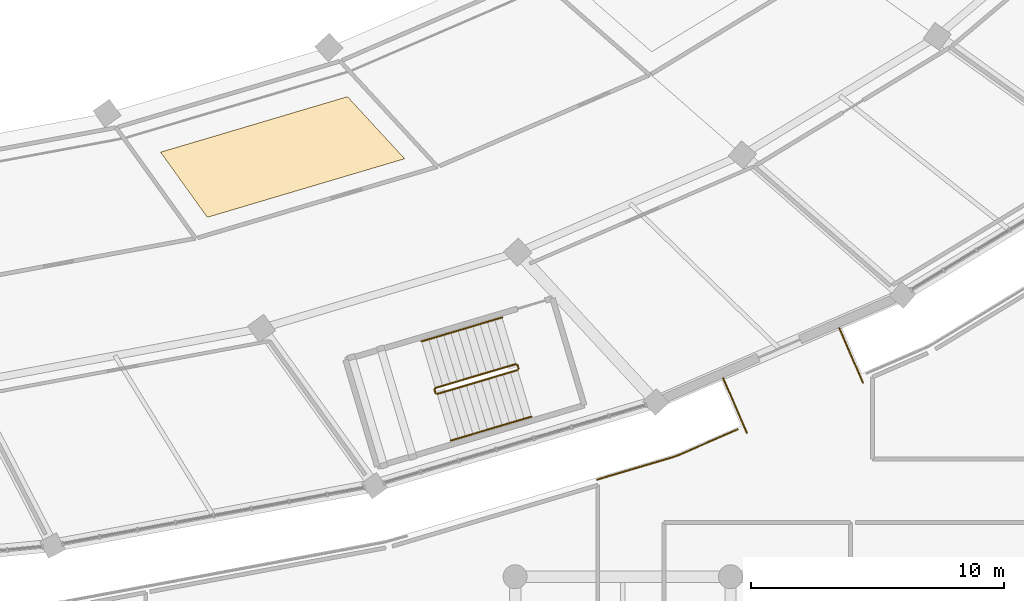
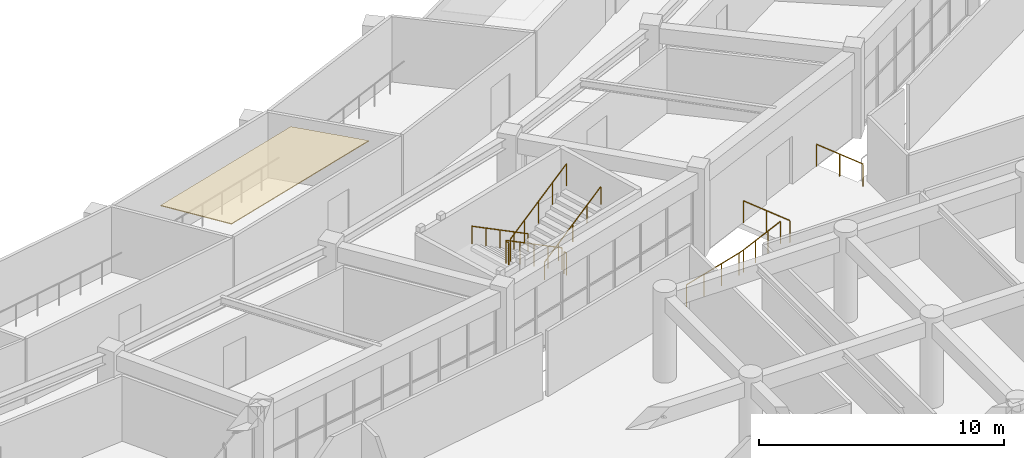
# One storey, part 125 of 141: 9 railings, 1 covering.
"""IFC4 building model written with IfcOpenShell, lengths in metres."""

import ifcopenshell
import ifcopenshell.guid

model = None  # the IFC model being written
_history = None  # IfcOwnerHistory: only IFC2X3 demands one
_inside = {}  # id of a spatial element -> (the spatial element, [elements in it])
_under = {}  # id of a project, library or spatial element -> (it, [spatial elements below it])
_declared = {}  # id of a project -> (the project, [libraries it declares])
_typed = {}  # id of a type object -> (the type object, [elements of that type])
_made_of = {}  # id of a material, layer set ... -> (it, [elements and type objects made of it])


def new_model(schema):
    """Start an empty IFC model of exactly this schema.

    Asked for "IFC4X3", IfcOpenShell would pick the latest addendum, in which some entities
    have other attributes; the version numbers below select the first issue.
    IFC2X3 requires an IfcOwnerHistory on every rooted entity: one is made here for all.
    """
    global model, _history
    if schema == "IFC4X3":
        model = ifcopenshell.file(schema_version=(4, 3, 0, 0))
    else:
        model = ifcopenshell.file(schema=schema)
    _inside.clear()
    _under.clear()
    _declared.clear()
    _typed.clear()
    _made_of.clear()
    _history = None
    if model.schema == "IFC2X3":
        org = make("IfcOrganization", Name="unknown")
        user = make(
            "IfcPersonAndOrganization",
            ThePerson=make("IfcPerson", FamilyName="unknown"),
            TheOrganization=org,
        )
        app = make(
            "IfcApplication",
            ApplicationDeveloper=org,
            Version="unknown",
            ApplicationFullName="unknown",
            ApplicationIdentifier="unknown",
        )
        _history = make(
            "IfcOwnerHistory",
            OwningUser=user,
            OwningApplication=app,
            ChangeAction="ADDED",
            CreationDate=0,
        )
    return model


def make(cls, **values):
    """One entity of the class cls with the attributes given. An attribute that is None is left unset."""
    return model.create_entity(
        cls, **{name: value for name, value in values.items() if value is not None}
    )


def rooted(cls, **values):
    """An entity with a GlobalId (a new one), such as an element, a storey or a relation."""
    return make(cls, GlobalId=ifcopenshell.guid.new(), OwnerHistory=_history, **values)


def si_unit(unit_type, name, prefix=None):
    """IfcSIUnit, for example si_unit("LENGTHUNIT", "METRE", prefix="MILLI")."""
    return make("IfcSIUnit", UnitType=unit_type, Prefix=prefix, Name=name)


def assignment(units):
    """IfcUnitAssignment: the units of a project."""
    return None if units is None else make("IfcUnitAssignment", Units=units)


def point(xyz):
    """IfcCartesianPoint."""
    return None if xyz is None else make("IfcCartesianPoint", Coordinates=xyz)


def direction(xyz):
    """IfcDirection."""
    return None if xyz is None else make("IfcDirection", DirectionRatios=xyz)


def frame(location, z_axis=None, x_axis=None):
    """IfcAxis2Placement3D, a coordinate frame: its origin and axes. An axis left out is left unset."""
    return make(
        "IfcAxis2Placement3D",
        Location=point(location),
        Axis=direction(z_axis),
        RefDirection=direction(x_axis),
    )


def frame_2d(location, x_axis=None):
    """IfcAxis2Placement2D, a coordinate frame in the plane: its origin and x axis."""
    return make(
        "IfcAxis2Placement2D", Location=point(location), RefDirection=direction(x_axis)
    )


def origin():
    """The frame at (0, 0, 0) with its axes left unset."""
    return frame((0.0, 0.0, 0.0))


def origin_2d():
    """The frame at (0, 0) in the plane with its x axis left unset."""
    return frame_2d((0.0, 0.0))


def place(relative_to, where):
    """IfcLocalPlacement: puts the frame where relative to a parent placement (None: the world)."""
    return make(
        "IfcLocalPlacement", PlacementRelTo=relative_to, RelativePlacement=where
    )


def context(
    kind, dimensions, precision=None, world=None, true_north=None, identifier=None
):
    """IfcGeometricRepresentationContext, for example the 3D "Model" context."""
    return make(
        "IfcGeometricRepresentationContext",
        ContextIdentifier=identifier,
        ContextType=kind,
        CoordinateSpaceDimension=dimensions,
        Precision=precision,
        WorldCoordinateSystem=world,
        TrueNorth=true_north,
    )


def subcontext(parent, identifier, kind, view, scale=None):
    """IfcGeometricRepresentationSubContext, for example "Body" below "Model"."""
    return make(
        "IfcGeometricRepresentationSubContext",
        ContextIdentifier=identifier,
        ContextType=kind,
        ParentContext=parent,
        TargetScale=scale,
        TargetView=view,
    )


def project(units=None, contexts=None):
    """IfcProject with its units and contexts."""
    return rooted(
        "IfcProject",
        Name="project",
        RepresentationContexts=contexts,
        UnitsInContext=assignment(units),
    )


def spatial(cls, under=None, at=None, **own):
    """A site, building, storey or space (cls), placed at a placement, below another one or the project."""
    s = rooted(cls, ObjectPlacement=at, **own)
    if under is not None:
        _under.setdefault(under.id(), (under, []))[1].append(s)
    return s


def polyline(points):
    """IfcPolyline through the points."""
    return make("IfcPolyline", Points=[point(p) for p in points])


def profile(cls, at=None, kind="AREA", **sizes):
    """A parametric profile (cls). Its sizes go by their IFC names, for example OverallWidth=200.0."""
    return make(cls, ProfileType=kind, Position=at, **sizes)


def circle(**sizes):
    """IfcCircleProfileDef."""
    return profile("IfcCircleProfileDef", **sizes)


def outline(outer, holes=None, kind="AREA"):
    """IfcArbitraryClosedProfileDef: a profile drawn as a closed curve; with holes, ...WithVoids."""
    if holes is None:
        return make("IfcArbitraryClosedProfileDef", ProfileType=kind, OuterCurve=outer)
    return make(
        "IfcArbitraryProfileDefWithVoids",
        ProfileType=kind,
        OuterCurve=outer,
        InnerCurves=holes,
    )


def extrude(swept, where, along, depth):
    """IfcExtrudedAreaSolid: the profile swept, set in the frame where, extruded along a direction by depth."""
    return make(
        "IfcExtrudedAreaSolid",
        SweptArea=swept,
        Position=where,
        ExtrudedDirection=direction(along),
        Depth=depth,
    )


def shape(context_of_items, identifier, shape_type, items):
    """IfcShapeRepresentation: the items that make up one representation, for example the "Body"."""
    return make(
        "IfcShapeRepresentation",
        ContextOfItems=context_of_items,
        RepresentationIdentifier=identifier,
        RepresentationType=shape_type,
        Items=items,
    )


def material(Name=None, Category=None):
    """IfcMaterial."""
    return make("IfcMaterial", Name=Name, Category=Category)


def layer(
    of_material, thickness, ventilated=None, Name=None, Category=None, Priority=None
):
    """IfcMaterialLayer: one layer of a wall or slab, of a material (None: an air gap)."""
    return make(
        "IfcMaterialLayer",
        Material=of_material,
        LayerThickness=thickness,
        IsVentilated=ventilated,
        Name=Name,
        Category=Category,
        Priority=Priority,
    )


def layer_set(layers, Name=None):
    """IfcMaterialLayerSet."""
    return make("IfcMaterialLayerSet", MaterialLayers=layers, LayerSetName=Name)


def made_of(thing, what):
    """Note that an element or type object is made of a material, layer set ...; save() writes the relation."""
    if what is not None:
        _made_of.setdefault(what.id(), (what, []))[1].append(thing)
    return thing


def type_object(cls, material=None, **own):
    """A type object (cls), such as IfcWallType, which elements share."""
    return made_of(rooted(cls, **own), material)


def element(
    cls,
    number,
    at=None,
    inside=None,
    cuts=None,
    type_object=None,
    material=None,
    context=None,
    identifier="Body",
    shape_type=None,
    held_by="IfcProductDefinitionShape",
    body=None,
    shapes=None,
    **own,
):
    """One element of the class cls, such as IfcWall. Its Tag is "e" and its number.

    at: its placement. inside: the storey or other place that contains it. cuts: it is an
    opening in that element (IfcRelVoidsElement). A single representation is given by context,
    identifier, shape_type and body (its items); several are given by shapes. held_by: the class
    of the entity that holds the representations. save() writes the other relations.
    """
    e = rooted(cls, Tag="e%d" % number, ObjectPlacement=at, **own)
    if body is not None:
        shapes = [shape(context, identifier, shape_type, body)]
    if shapes is not None:
        e.Representation = make(held_by, Representations=shapes)
    if inside is not None:
        _inside.setdefault(inside.id(), (inside, []))[1].append(e)
    if cuts is not None:
        rooted(
            "IfcRelVoidsElement", RelatingBuildingElement=cuts, RelatedOpeningElement=e
        )
    if type_object is not None:
        _typed.setdefault(type_object.id(), (type_object, []))[1].append(e)
    return made_of(e, material)


def aggregate(whole, parts):
    """IfcRelAggregates: a whole, such as a stair, and the parts it consists of."""
    return rooted("IfcRelAggregates", RelatingObject=whole, RelatedObjects=parts)


def save(model, path):
    """Write the relations noted so far, then the file.

    IfcRelAggregates (storeys below a building ...), IfcRelContainedInSpatialStructure (elements
    in a storey), IfcRelDefinesByType, IfcRelAssociatesMaterial and IfcRelDeclares: one each for
    every whole, place, type object, material and project.
    """
    for whole, parts in _under.values():
        aggregate(whole, parts)
    for where, things in _inside.values():
        rooted(
            "IfcRelContainedInSpatialStructure",
            RelatedElements=things,
            RelatingStructure=where,
        )
    for kind, things in _typed.values():
        rooted("IfcRelDefinesByType", RelatedObjects=things, RelatingType=kind)
    for what, things in _made_of.values():
        rooted("IfcRelAssociatesMaterial", RelatedObjects=things, RelatingMaterial=what)
    for by, libraries in _declared.values():
        rooted("IfcRelDeclares", RelatingContext=by, RelatedDefinitions=libraries)
    model.write(path)


model = new_model("IFC4")

# Units and contexts
model_context = context("Model", 3, precision=1e-05, world=origin(), true_north=direction((0.0, 1.0)))
body_context = subcontext(model_context, "Body", "Model", "MODEL_VIEW")
ifc_project = project(units=[si_unit("LENGTHUNIT", "METRE"), si_unit("AREAUNIT", "SQUARE_METRE"), si_unit("VOLUMEUNIT", "CUBIC_METRE"), si_unit("PLANEANGLEUNIT", "RADIAN"), si_unit("MASSUNIT", "GRAM", prefix="KILO")], contexts=[model_context])

# Site, building, storey
site_placement = place(None, origin())
site = spatial("IfcSite", under=ifc_project, at=site_placement, CompositionType="ELEMENT")
building_placement = place(site_placement, origin())
building = spatial("IfcBuilding", under=site, at=building_placement, Name="Mphavela Belvedere Stadium", CompositionType="ELEMENT")
storey_placement = place(building_placement, frame((0.0, 0.0, 14.699951171875)))
storey = spatial("IfcBuildingStorey", under=building, at=storey_placement, Name="L03", CompositionType="ELEMENT", Elevation=14.699951171875)

# Covering
ifc_material_1 = material(Name="Perforated acoustic mineral ceiling tile")
ifc_layer = layer(ifc_material_1, 0.0400390625)
ifc_layer_set = layer_set([ifc_layer], Name="Perforated acoustic mineral ceiling tile")
covering_type = type_object("IfcCoveringType", Name="COV-CEILING-ACOUSTIC", PredefinedType="CEILING", material=ifc_layer_set)
covering_placement = place(storey_placement, frame((0.0, 0.0, 3.199951171875)))
element("IfcCovering", 1, at=covering_placement, inside=storey, type_object=covering_type, Name="Concourse acoustic ceiling L03-40", PredefinedType="CEILING", context=body_context, shape_type="SweptSolid", body=[
    extrude(outline(polyline([(156.34765625, 30.79248046875), (163.7392578125, 32.986572265625), (166.002197265625, 30.532470703125), (158.197021484375, 28.2158203125), (156.34765625, 30.79248046875)])), origin(), (0.0, 0.0, 1.0), 0.0400390625),
])

# Railings
ifc_material_2 = material(Name="Bronze and laminated glass stadium balustrade", Category="glass")
railing_type_1 = type_object("IfcRailingType", Name="RAL-BALUSTRADE-1120", PredefinedType="BALUSTRADE", material=ifc_material_2)
railing_1_placement = place(storey_placement, frame((178.602783203125, 21.84619140625, 0.0)))
element("IfcRailing", 2, at=railing_1_placement, inside=storey, type_object=railing_type_1, Name="Colonnade link bridge balustrade L03-41A", PredefinedType="BALUSTRADE", context=body_context, shape_type="SweptSolid", body=[
    extrude(circle(Radius=0.02392578125, at=origin_2d()), frame((0.0, 0.0, 1.09619140625), z_axis=(0.397677406785, -0.917525302176, 0.0), x_axis=(0.917525302176, 0.397677406785, 0.0)), (0.0, 0.0, 1.0), 2.35009765625),
    extrude(circle(Radius=0.02099609375, at=origin_2d()), origin(), (0.0, 0.0, 1.0), 1.072021484375),
    extrude(circle(Radius=0.02099609375, at=origin_2d()), frame((0.46728515625, -1.078125, 0.0)), (0.0, 0.0, 1.0), 1.072021484375),
    extrude(circle(Radius=0.02099609375, at=origin_2d()), frame((0.9345703125, -2.15625, 0.0)), (0.0, 0.0, 1.0), 1.072021484375),
])
railing_2_placement = place(storey_placement, frame((183.190185546875, 23.834716796875, 0.0)))
element("IfcRailing", 3, at=railing_2_placement, inside=storey, type_object=railing_type_1, Name="Colonnade link bridge balustrade L03-41B", PredefinedType="BALUSTRADE", context=body_context, shape_type="SweptSolid", body=[
    extrude(circle(Radius=0.02392578125, at=origin_2d()), frame((0.0, 0.0, 1.09619140625), z_axis=(0.397802772945, -0.91747095531, 0.0), x_axis=(0.91747095531, 0.397802772945, 0.0)), (0.0, 0.0, 1.0), 2.349853515625),
    extrude(circle(Radius=0.02099609375, at=origin_2d()), origin(), (0.0, 0.0, 1.0), 1.072021484375),
    extrude(circle(Radius=0.02099609375, at=origin_2d()), frame((0.46728515625, -1.078125, 0.0)), (0.0, 0.0, 1.0), 1.072021484375),
    extrude(circle(Radius=0.02099609375, at=origin_2d()), frame((0.934814453125, -2.156005859375, 0.0)), (0.0, 0.0, 1.0), 1.072021484375),
])
railing_3_placement = place(storey_placement, frame((173.6171875, 17.841796875, 0.0)))
element("IfcRailing", 4, at=railing_3_placement, inside=storey, type_object=railing_type_1, Name="Peristyle wing gallery edge balustrade L03-06", PredefinedType="BALUSTRADE", context=body_context, shape_type="SweptSolid", body=[
    extrude(circle(Radius=0.02392578125, at=origin_2d()), frame((0.0, 0.0, 1.09619140625), z_axis=(0.958645524177, 0.284602809148, 0.0), x_axis=(-0.284602809148, 0.958645524177, 0.0)), (0.0, 0.0, 1.0), 3.101806640625),
    extrude(circle(Radius=0.02392578125, at=origin_2d()), frame((2.9736328125, 0.8828125, 1.09619140625), z_axis=(0.939740596708, 0.341888301786, 0.0), x_axis=(-0.341888301786, 0.939740596708, 0.0)), (0.0, 0.0, 1.0), 0.27001953125),
    extrude(circle(Radius=0.02392578125, at=origin_2d()), frame((3.227294921875, 0.97509765625, 1.09619140625), z_axis=(0.917490104343, 0.397758605731, 0.0), x_axis=(-0.397758605731, 0.917490104343, 0.0)), (0.0, 0.0, 1.0), 2.5380859375),
    extrude(circle(Radius=0.02099609375, at=origin_2d()), origin(), (0.0, 0.0, 1.0), 1.072021484375),
    extrude(circle(Radius=0.02099609375, at=origin_2d()), frame((0.9912109375, 0.294189453125, 0.0)), (0.0, 0.0, 1.0), 1.072021484375),
    extrude(circle(Radius=0.02099609375, at=origin_2d()), frame((1.982421875, 0.588623046875, 0.0)), (0.0, 0.0, 1.0), 1.072021484375),
    extrude(circle(Radius=0.02099609375, at=origin_2d()), frame((2.9736328125, 0.8828125, 0.0)), (0.0, 0.0, 1.0), 1.072021484375),
    extrude(circle(Radius=0.02099609375, at=origin_2d()), frame((3.227294921875, 0.97509765625, 0.0)), (0.0, 0.0, 1.0), 1.072021484375),
    extrude(circle(Radius=0.02099609375, at=origin_2d()), frame((4.00341796875, 1.3115234375, 0.0)), (0.0, 0.0, 1.0), 1.072021484375),
    extrude(circle(Radius=0.02099609375, at=origin_2d()), frame((4.77978515625, 1.648193359375, 0.0)), (0.0, 0.0, 1.0), 1.072021484375),
    extrude(circle(Radius=0.02099609375, at=origin_2d()), frame((5.555908203125, 1.984619140625, 0.0)), (0.0, 0.0, 1.0), 1.072021484375),
])
ifc_material_3 = material(Name="Painted galvanised steel stair guardrail", Category="steel")
railing_type_2 = type_object("IfcRailingType", Name="RAL-GUARD-1120", PredefinedType="GUARDRAIL", material=ifc_material_3)
railing_4_placement = place(storey_placement, frame((170.39990234375, 22.41259765625, 0.1875)))
element("IfcRailing", 5, at=railing_4_placement, inside=storey, type_object=railing_type_2, Name="L03 ST-P04 stair guard 1", PredefinedType="GUARDRAIL", context=body_context, shape_type="SweptSolid", body=[
    extrude(circle(Radius=0.02392578125, at=origin_2d()), frame((0.0, 0.0, 1.09619140625), z_axis=(-0.814456163261, -0.241701917202, 0.527485868386), x_axis=(0.284501194376, -0.958675685724, 0.0)), (0.0, 0.0, 1.0), 3.91015625),
    extrude(circle(Radius=0.02099609375, at=origin_2d()), origin(), (0.0, 0.0, 1.0), 1.072021484375),
    extrude(circle(Radius=0.02099609375, at=origin_2d()), frame((-0.796142578125, -0.236328125, 0.515625)), (0.0, 0.0, 1.0), 1.072021484375),
    extrude(circle(Radius=0.02099609375, at=origin_2d()), frame((-1.59228515625, -0.47265625, 1.03125)), (0.0, 0.0, 1.0), 1.072021484375),
    extrude(circle(Radius=0.02099609375, at=origin_2d()), frame((-2.388427734375, -0.708740234375, 1.546875)), (0.0, 0.0, 1.0), 1.072021484375),
    extrude(circle(Radius=0.02099609375, at=origin_2d()), frame((-3.1845703125, -0.945068359375, 2.0625)), (0.0, 0.0, 1.0), 1.072021484375),
])
railing_5_placement = place(storey_placement, frame((167.181640625, 21.4052734375, 2.25)))
element("IfcRailing", 6, at=railing_5_placement, inside=storey, type_object=railing_type_2, Name="L03 ST-P04 stair guard 2", PredefinedType="GUARDRAIL", context=body_context, shape_type="SweptSolid", body=[
    extrude(circle(Radius=0.02392578125, at=origin_2d()), frame((0.0, 0.0, 1.09619140625), z_axis=(0.284808608521, -0.958584402394, 0.0), x_axis=(0.958584402394, 0.284808608521, 0.0)), (0.0, 0.0, 1.0), 0.14990234375),
    extrude(circle(Radius=0.02099609375, at=origin_2d()), origin(), (0.0, 0.0, 1.0), 1.072021484375),
    extrude(circle(Radius=0.02099609375, at=origin_2d()), frame((0.042724609375, -0.143798828125, 0.0)), (0.0, 0.0, 1.0), 1.072021484375),
])
railing_6_placement = place(storey_placement, frame((167.286376953125, 21.227783203125, 2.4375)))
element("IfcRailing", 7, at=railing_6_placement, inside=storey, type_object=railing_type_2, Name="L03 ST-P04 stair guard 3", PredefinedType="GUARDRAIL", context=body_context, shape_type="SweptSolid", body=[
    extrude(circle(Radius=0.02392578125, at=origin_2d()), frame((0.0, 0.0, 1.09619140625), z_axis=(0.814464890619, 0.241748413682, 0.527451084396), x_axis=(-0.284548690927, 0.95866158914, 0.0)), (0.0, 0.0, 1.0), 3.910400390625),
    extrude(circle(Radius=0.02099609375, at=origin_2d()), origin(), (0.0, 0.0, 1.0), 1.072021484375),
    extrude(circle(Radius=0.02099609375, at=origin_2d()), frame((0.796142578125, 0.236328125, 0.515625)), (0.0, 0.0, 1.0), 1.072021484375),
    extrude(circle(Radius=0.02099609375, at=origin_2d()), frame((1.59228515625, 0.47265625, 1.03125)), (0.0, 0.0, 1.0), 1.072021484375),
    extrude(circle(Radius=0.02099609375, at=origin_2d()), frame((2.388671875, 0.708984375, 1.546875)), (0.0, 0.0, 1.0), 1.072021484375),
    extrude(circle(Radius=0.02099609375, at=origin_2d()), frame((3.184814453125, 0.9453125, 2.0625)), (0.0, 0.0, 1.0), 1.072021484375),
])
railing_7_placement = place(storey_placement, frame((170.462158203125, 22.37890625, 0.0)))
element("IfcRailing", 8, at=railing_7_placement, inside=storey, type_object=railing_type_2, Name="L03 ST-P04 stair guard 4", PredefinedType="GUARDRAIL", context=body_context, shape_type="SweptSolid", body=[
    extrude(circle(Radius=0.02392578125, at=origin_2d()), frame((0.0, 0.0, 1.09619140625), z_axis=(0.284808608521, -0.958584402394, 0.0), x_axis=(0.958584402394, 0.284808608521, 0.0)), (0.0, 0.0, 1.0), 0.14990234375),
    extrude(circle(Radius=0.02099609375, at=origin_2d()), origin(), (0.0, 0.0, 1.0), 1.072021484375),
    extrude(circle(Radius=0.02099609375, at=origin_2d()), frame((0.042724609375, -0.143798828125, 0.0)), (0.0, 0.0, 1.0), 1.072021484375),
])
ifc_material_4 = material(Name="Brushed stainless steel tubular handrail", Category="steel")
railing_type_3 = type_object("IfcRailingType", Name="RAL-HANDRAIL-900", PredefinedType="HANDRAIL", material=ifc_material_4)
railing_8_placement = place(storey_placement, frame((169.853759765625, 24.25341796875, 0.1875)))
element("IfcRailing", 9, at=railing_8_placement, inside=storey, type_object=railing_type_3, Name="L03 ST-P04 stair handrail 1", PredefinedType="HANDRAIL", context=body_context, shape_type="SweptSolid", body=[
    extrude(circle(Radius=0.02392578125, at=origin_2d()), frame((0.0, 0.0, 0.8759765625), z_axis=(-0.814464890619, -0.241748413682, 0.527451084396), x_axis=(0.284548690927, -0.95866158914, 0.0)), (0.0, 0.0, 1.0), 3.910400390625),
    extrude(circle(Radius=0.02099609375, at=origin_2d()), origin(), (0.0, 0.0, 1.0), 0.851806640625),
    extrude(circle(Radius=0.02099609375, at=origin_2d()), frame((-0.796142578125, -0.236328125, 0.515625)), (0.0, 0.0, 1.0), 0.851806640625),
    extrude(circle(Radius=0.02099609375, at=origin_2d()), frame((-1.59228515625, -0.47265625, 1.03125)), (0.0, 0.0, 1.0), 0.851806640625),
    extrude(circle(Radius=0.02099609375, at=origin_2d()), frame((-2.388671875, -0.708984375, 1.546875)), (0.0, 0.0, 1.0), 0.851806640625),
    extrude(circle(Radius=0.02099609375, at=origin_2d()), frame((-3.184814453125, -0.9453125, 2.0625)), (0.0, 0.0, 1.0), 0.851806640625),
])
railing_9_placement = place(storey_placement, frame((167.832763671875, 19.38720703125, 2.4375)))
element("IfcRailing", 10, at=railing_9_placement, inside=storey, type_object=railing_type_3, Name="L03 ST-P04 stair handrail 2", PredefinedType="HANDRAIL", context=body_context, shape_type="SweptSolid", body=[
    extrude(circle(Radius=0.02392578125, at=origin_2d()), frame((0.0, 0.0, 0.8759765625), z_axis=(0.814456163261, 0.241701917202, 0.527485868386), x_axis=(-0.284501194376, 0.958675685724, 0.0)), (0.0, 0.0, 1.0), 3.91015625),
    extrude(circle(Radius=0.02099609375, at=origin_2d()), origin(), (0.0, 0.0, 1.0), 0.851806640625),
    extrude(circle(Radius=0.02099609375, at=origin_2d()), frame((0.796142578125, 0.236328125, 0.515625)), (0.0, 0.0, 1.0), 0.851806640625),
    extrude(circle(Radius=0.02099609375, at=origin_2d()), frame((1.59228515625, 0.47265625, 1.03125)), (0.0, 0.0, 1.0), 0.851806640625),
    extrude(circle(Radius=0.02099609375, at=origin_2d()), frame((2.388427734375, 0.708740234375, 1.546875)), (0.0, 0.0, 1.0), 0.851806640625),
    extrude(circle(Radius=0.02099609375, at=origin_2d()), frame((3.1845703125, 0.945068359375, 2.0625)), (0.0, 0.0, 1.0), 0.851806640625),
])

save(model, "model.ifc")
